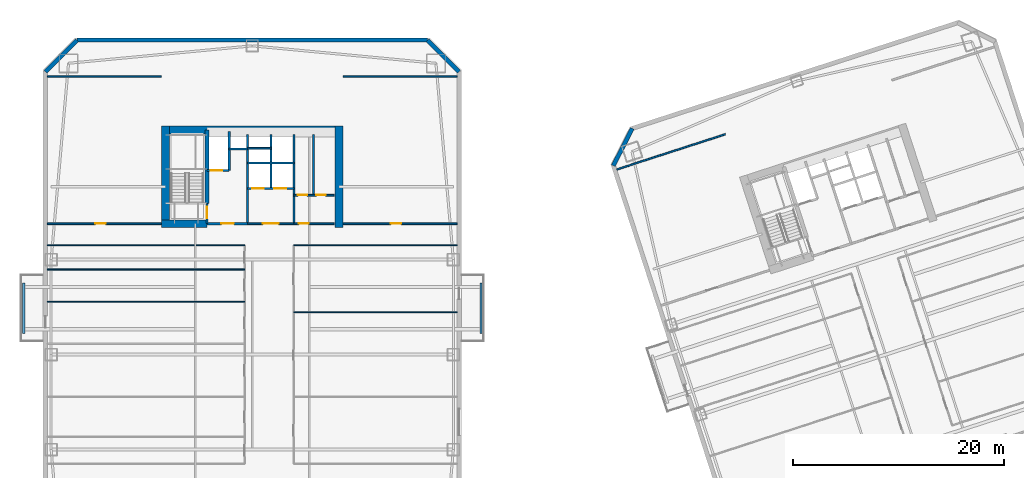
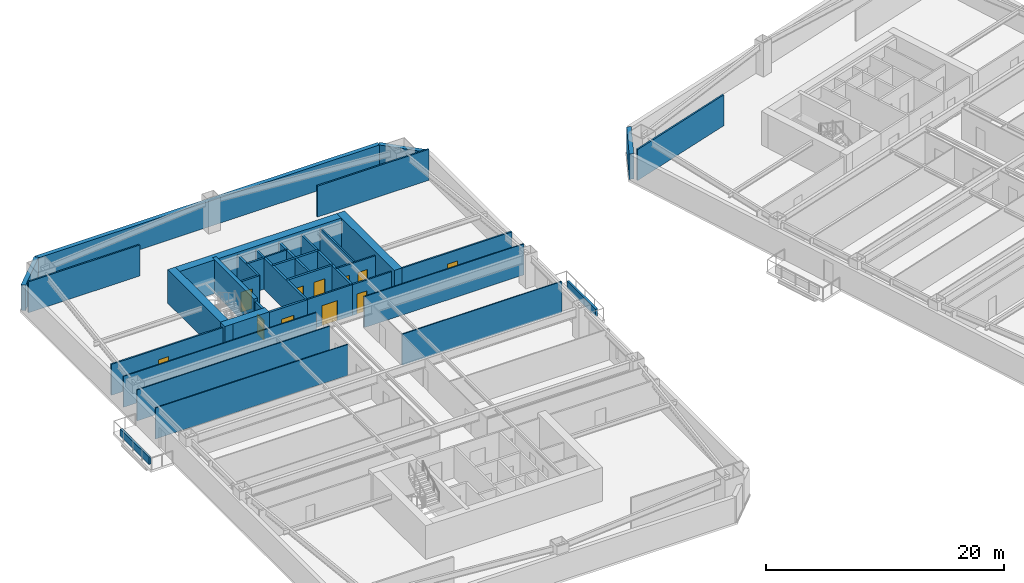
# One storey, part 6 of 15: 36 walls, 11 doors, 11 openings.
"""IFC4 building model written with IfcOpenShell, lengths in metres."""

import ifcopenshell
import ifcopenshell.guid

model = None  # the IFC model being written
_history = None  # IfcOwnerHistory: only IFC2X3 demands one
_inside = {}  # id of a spatial element -> (the spatial element, [elements in it])
_under = {}  # id of a project, library or spatial element -> (it, [spatial elements below it])
_declared = {}  # id of a project -> (the project, [libraries it declares])
_typed = {}  # id of a type object -> (the type object, [elements of that type])
_made_of = {}  # id of a material, layer set ... -> (it, [elements and type objects made of it])


def new_model(schema):
    """Start an empty IFC model of exactly this schema.

    Asked for "IFC4X3", IfcOpenShell would pick the latest addendum, in which some entities
    have other attributes; the version numbers below select the first issue.
    IFC2X3 requires an IfcOwnerHistory on every rooted entity: one is made here for all.
    """
    global model, _history
    if schema == "IFC4X3":
        model = ifcopenshell.file(schema_version=(4, 3, 0, 0))
    else:
        model = ifcopenshell.file(schema=schema)
    _inside.clear()
    _under.clear()
    _declared.clear()
    _typed.clear()
    _made_of.clear()
    _history = None
    if model.schema == "IFC2X3":
        org = make("IfcOrganization", Name="unknown")
        user = make(
            "IfcPersonAndOrganization",
            ThePerson=make("IfcPerson", FamilyName="unknown"),
            TheOrganization=org,
        )
        app = make(
            "IfcApplication",
            ApplicationDeveloper=org,
            Version="unknown",
            ApplicationFullName="unknown",
            ApplicationIdentifier="unknown",
        )
        _history = make(
            "IfcOwnerHistory",
            OwningUser=user,
            OwningApplication=app,
            ChangeAction="ADDED",
            CreationDate=0,
        )
    return model


def make(cls, **values):
    """One entity of the class cls with the attributes given. An attribute that is None is left unset."""
    return model.create_entity(
        cls, **{name: value for name, value in values.items() if value is not None}
    )


def rooted(cls, **values):
    """An entity with a GlobalId (a new one), such as an element, a storey or a relation."""
    return make(cls, GlobalId=ifcopenshell.guid.new(), OwnerHistory=_history, **values)


def si_unit(unit_type, name, prefix=None):
    """IfcSIUnit, for example si_unit("LENGTHUNIT", "METRE", prefix="MILLI")."""
    return make("IfcSIUnit", UnitType=unit_type, Prefix=prefix, Name=name)


def assignment(units):
    """IfcUnitAssignment: the units of a project."""
    return None if units is None else make("IfcUnitAssignment", Units=units)


def point(xyz):
    """IfcCartesianPoint."""
    return None if xyz is None else make("IfcCartesianPoint", Coordinates=xyz)


def direction(xyz):
    """IfcDirection."""
    return None if xyz is None else make("IfcDirection", DirectionRatios=xyz)


def frame(location, z_axis=None, x_axis=None):
    """IfcAxis2Placement3D, a coordinate frame: its origin and axes. An axis left out is left unset."""
    return make(
        "IfcAxis2Placement3D",
        Location=point(location),
        Axis=direction(z_axis),
        RefDirection=direction(x_axis),
    )


def frame_2d(location, x_axis=None):
    """IfcAxis2Placement2D, a coordinate frame in the plane: its origin and x axis."""
    return make(
        "IfcAxis2Placement2D", Location=point(location), RefDirection=direction(x_axis)
    )


def origin():
    """The frame at (0, 0, 0) with its axes left unset."""
    return frame((0.0, 0.0, 0.0))


def place(relative_to, where):
    """IfcLocalPlacement: puts the frame where relative to a parent placement (None: the world)."""
    return make(
        "IfcLocalPlacement", PlacementRelTo=relative_to, RelativePlacement=where
    )


def context(
    kind, dimensions, precision=None, world=None, true_north=None, identifier=None
):
    """IfcGeometricRepresentationContext, for example the 3D "Model" context."""
    return make(
        "IfcGeometricRepresentationContext",
        ContextIdentifier=identifier,
        ContextType=kind,
        CoordinateSpaceDimension=dimensions,
        Precision=precision,
        WorldCoordinateSystem=world,
        TrueNorth=true_north,
    )


def subcontext(parent, identifier, kind, view, scale=None):
    """IfcGeometricRepresentationSubContext, for example "Body" below "Model"."""
    return make(
        "IfcGeometricRepresentationSubContext",
        ContextIdentifier=identifier,
        ContextType=kind,
        ParentContext=parent,
        TargetScale=scale,
        TargetView=view,
    )


def project(units=None, contexts=None):
    """IfcProject with its units and contexts."""
    return rooted(
        "IfcProject",
        Name="project",
        RepresentationContexts=contexts,
        UnitsInContext=assignment(units),
    )


def spatial(cls, under=None, at=None, **own):
    """A site, building, storey or space (cls), placed at a placement, below another one or the project."""
    s = rooted(cls, ObjectPlacement=at, **own)
    if under is not None:
        _under.setdefault(under.id(), (under, []))[1].append(s)
    return s


def profile(cls, at=None, kind="AREA", **sizes):
    """A parametric profile (cls). Its sizes go by their IFC names, for example OverallWidth=200.0."""
    return make(cls, ProfileType=kind, Position=at, **sizes)


def rectangle(**sizes):
    """IfcRectangleProfileDef."""
    return profile("IfcRectangleProfileDef", **sizes)


def extrude(swept, where, along, depth):
    """IfcExtrudedAreaSolid: the profile swept, set in the frame where, extruded along a direction by depth."""
    return make(
        "IfcExtrudedAreaSolid",
        SweptArea=swept,
        Position=where,
        ExtrudedDirection=direction(along),
        Depth=depth,
    )


def shape(context_of_items, identifier, shape_type, items):
    """IfcShapeRepresentation: the items that make up one representation, for example the "Body"."""
    return make(
        "IfcShapeRepresentation",
        ContextOfItems=context_of_items,
        RepresentationIdentifier=identifier,
        RepresentationType=shape_type,
        Items=items,
    )


def material(Name=None, Category=None):
    """IfcMaterial."""
    return make("IfcMaterial", Name=Name, Category=Category)


def layer(
    of_material, thickness, ventilated=None, Name=None, Category=None, Priority=None
):
    """IfcMaterialLayer: one layer of a wall or slab, of a material (None: an air gap)."""
    return make(
        "IfcMaterialLayer",
        Material=of_material,
        LayerThickness=thickness,
        IsVentilated=ventilated,
        Name=Name,
        Category=Category,
        Priority=Priority,
    )


def layer_set(layers, Name=None):
    """IfcMaterialLayerSet."""
    return make("IfcMaterialLayerSet", MaterialLayers=layers, LayerSetName=Name)


def made_of(thing, what):
    """Note that an element or type object is made of a material, layer set ...; save() writes the relation."""
    if what is not None:
        _made_of.setdefault(what.id(), (what, []))[1].append(thing)
    return thing


def type_object(cls, material=None, **own):
    """A type object (cls), such as IfcWallType, which elements share."""
    return made_of(rooted(cls, **own), material)


def element(
    cls,
    number,
    at=None,
    inside=None,
    cuts=None,
    type_object=None,
    material=None,
    context=None,
    identifier="Body",
    shape_type=None,
    held_by="IfcProductDefinitionShape",
    body=None,
    shapes=None,
    **own,
):
    """One element of the class cls, such as IfcWall. Its Tag is "e" and its number.

    at: its placement. inside: the storey or other place that contains it. cuts: it is an
    opening in that element (IfcRelVoidsElement). A single representation is given by context,
    identifier, shape_type and body (its items); several are given by shapes. held_by: the class
    of the entity that holds the representations. save() writes the other relations.
    """
    e = rooted(cls, Tag="e%d" % number, ObjectPlacement=at, **own)
    if body is not None:
        shapes = [shape(context, identifier, shape_type, body)]
    if shapes is not None:
        e.Representation = make(held_by, Representations=shapes)
    if inside is not None:
        _inside.setdefault(inside.id(), (inside, []))[1].append(e)
    if cuts is not None:
        rooted(
            "IfcRelVoidsElement", RelatingBuildingElement=cuts, RelatedOpeningElement=e
        )
    if type_object is not None:
        _typed.setdefault(type_object.id(), (type_object, []))[1].append(e)
    return made_of(e, material)


def fill(opening, filler):
    """IfcRelFillsElement: the door or window that sits in an opening."""
    return rooted(
        "IfcRelFillsElement",
        RelatingOpeningElement=opening,
        RelatedBuildingElement=filler,
    )


def aggregate(whole, parts):
    """IfcRelAggregates: a whole, such as a stair, and the parts it consists of."""
    return rooted("IfcRelAggregates", RelatingObject=whole, RelatedObjects=parts)


def save(model, path):
    """Write the relations noted so far, then the file.

    IfcRelAggregates (storeys below a building ...), IfcRelContainedInSpatialStructure (elements
    in a storey), IfcRelDefinesByType, IfcRelAssociatesMaterial and IfcRelDeclares: one each for
    every whole, place, type object, material and project.
    """
    for whole, parts in _under.values():
        aggregate(whole, parts)
    for where, things in _inside.values():
        rooted(
            "IfcRelContainedInSpatialStructure",
            RelatedElements=things,
            RelatingStructure=where,
        )
    for kind, things in _typed.values():
        rooted("IfcRelDefinesByType", RelatedObjects=things, RelatingType=kind)
    for what, things in _made_of.values():
        rooted("IfcRelAssociatesMaterial", RelatedObjects=things, RelatingMaterial=what)
    for by, libraries in _declared.values():
        rooted("IfcRelDeclares", RelatingContext=by, RelatedDefinitions=libraries)
    model.write(path)


model = new_model("IFC4")

# Units and contexts
model_context = context("Model", 3, precision=1e-05, world=origin(), true_north=direction((0.0, 1.0)))
body_context = subcontext(model_context, "Body", "Model", "MODEL_VIEW")
ifc_project = project(units=[si_unit("LENGTHUNIT", "METRE"), si_unit("AREAUNIT", "SQUARE_METRE"), si_unit("VOLUMEUNIT", "CUBIC_METRE"), si_unit("PLANEANGLEUNIT", "RADIAN"), si_unit("MASSUNIT", "GRAM", prefix="KILO")], contexts=[model_context])

# Site, building, storey
site_placement = place(None, origin())
site = spatial("IfcSite", under=ifc_project, at=site_placement, CompositionType="ELEMENT")
building_placement = place(site_placement, origin())
building = spatial("IfcBuilding", under=site, at=building_placement, Name="Qiaolan Cultural Towers", CompositionType="ELEMENT")
storey_placement = place(building_placement, frame((0.0, 0.0, 50.60009765625)))
storey = spatial("IfcBuildingStorey", under=building, at=storey_placement, Name="L11", CompositionType="ELEMENT", Elevation=50.60009765625)

# Walls
ifc_material_1 = material(Name="Concrete C50", Category="concrete")
ifc_layer_1 = layer(ifc_material_1, 0.35009765625)
ifc_layer_set_1 = layer_set([ifc_layer_1], Name="Concrete C50")
wall_type_1 = type_object("IfcWallType", Name="WL-CORE-350", PredefinedType="SHEAR", material=ifc_layer_set_1)
wall_1_placement = place(storey_placement, frame((25.719970703125, 48.300048828125, 0.0), z_axis=(0.0, 0.0, 1.0), x_axis=(0.0, 1.0, 0.0)))
element("IfcWall", 1, at=wall_1_placement, inside=storey, type_object=wall_type_1, Name="L11 T1-CN Stair Core Dividing Web", PredefinedType="SHEAR", context=body_context, shape_type="SweptSolid", body=[
    extrude(rectangle(XDim=6.97998046875, YDim=0.35009765625, at=frame_2d((3.489990234375, 0.0))), origin(), (0.0, 0.0, 1.0), 3.449951171875),
])
ifc_material_2 = material(Name="Concrete C60", Category="concrete")
ifc_layer_2 = layer(ifc_material_2, 0.75)
ifc_layer_set_2 = layer_set([ifc_layer_2], Name="Concrete C60")
wall_type_2 = type_object("IfcWallType", Name="WL-CORE-750", PredefinedType="SHEAR", material=ifc_layer_set_2)
wall_2_placement = place(storey_placement, frame((21.425048828125, 55.280029296875, 0.0), z_axis=(0.0, 0.0, 1.0), x_axis=(1.0, 0.0, 0.0)))
element("IfcWall", 2, at=wall_2_placement, inside=storey, type_object=wall_type_2, Name="L11 T1-CN Outer Core Shear Wall", PredefinedType="SHEAR", context=body_context, shape_type="SweptSolid", body=[
    extrude(rectangle(XDim=17.14990234375, YDim=0.75, at=frame_2d((8.574951171875, 0.0))), origin(), (0.0, 0.0, 1.0), 3.449951171875),
])
for number, where, z_axis, x_axis, name in (
    (3, (21.800048828125, 46.02490234375, 0.0), (0.0, 0.0, 1.0), (0.0, 1.0, 0.0), "L11 T1-CN West Core Shear Wall"),
    (4, (38.199951171875, 46.02490234375, 0.0), (0.0, 0.0, 1.0), (0.0, 1.0, 0.0), "L11 T1-CN East Core Shear Wall"),
):
    element("IfcWall", number, at=place(storey_placement, frame(where, z_axis=z_axis, x_axis=x_axis)), inside=storey, type_object=wall_type_2, Name=name, PredefinedType="SHEAR", context=body_context, shape_type="SweptSolid", body=[
        extrude(rectangle(XDim=9.630126953125, YDim=0.75, at=frame_2d((4.81494140625, 0.0))), origin(), (0.0, 0.0, 1.0), 3.449951171875),
    ])
wall_3_placement = place(storey_placement, frame((21.425048828125, 46.39990234375, 0.0), z_axis=(0.0, 0.0, 1.0), x_axis=(1.0, 0.0, 0.0)))
element("IfcWall", 5, at=wall_3_placement, inside=storey, type_object=wall_type_2, Name="L11 T1-CN Stair Front Shear Wall", PredefinedType="SHEAR", context=body_context, shape_type="SweptSolid", body=[
    extrude(rectangle(XDim=4.294921875, YDim=0.75, at=frame_2d((2.1474609375, 0.0))), origin(), (0.0, 0.0, 1.0), 3.449951171875),
])
ifc_material_3 = material(Name="Precast Concrete C50 Honed Stone Pier", Category="masonry")
ifc_layer_3 = layer(ifc_material_3, 0.39990234375)
ifc_layer_set_3 = layer_set([ifc_layer_3], Name="Precast Concrete C50 Honed Stone Pier")
wall_type_3 = type_object("IfcWallType", Name="WL-EXT-PIER-400", PredefinedType="SOLIDWALL", material=ifc_layer_set_3)
wall_4_placement = place(storey_placement, frame((10.39990234375, 60.800048828125, 0.0), z_axis=(0.0, 0.0, 1.0), x_axis=(0.707106781187, 0.707106781187, 0.0)))
element("IfcWall", 6, at=wall_4_placement, inside=storey, type_object=wall_type_3, Name="L11 West Tower Precast Pier Facade Wall F2", PredefinedType="SOLIDWALL", context=body_context, shape_type="SweptSolid", body=[
    extrude(rectangle(XDim=4.24267578125, YDim=0.39990234375, at=frame_2d((2.121337890625, 0.0))), origin(), (0.0, 0.0, 1.0), 2.60986328125),
])
wall_5_placement = place(storey_placement, frame((13.39990234375, 63.800048828125, 0.0), z_axis=(0.0, 0.0, 1.0), x_axis=(1.0, 0.0, 0.0)))
element("IfcWall", 7, at=wall_5_placement, inside=storey, type_object=wall_type_3, Name="L11 West Tower Precast Pier Facade Wall F3", PredefinedType="SOLIDWALL", context=body_context, shape_type="SweptSolid", body=[
    extrude(rectangle(XDim=33.2001953125, YDim=0.39990234375, at=frame_2d((16.60009765625, 0.0))), origin(), (0.0, 0.0, 1.0), 2.60986328125),
])
wall_6_placement = place(storey_placement, frame((46.60009765625, 63.800048828125, 0.0), z_axis=(0.0, 0.0, 1.0), x_axis=(0.707106781187, -0.707106781187, 0.0)))
element("IfcWall", 8, at=wall_6_placement, inside=storey, type_object=wall_type_3, Name="L11 West Tower Precast Pier Facade Wall F4", PredefinedType="SOLIDWALL", context=body_context, shape_type="SweptSolid", body=[
    extrude(rectangle(XDim=4.24267578125, YDim=0.39990234375, at=frame_2d((2.121337890625, 0.0))), origin(), (0.0, 0.0, 1.0), 2.60986328125),
])
wall_7_placement = place(storey_placement, frame((64.20458984375, 51.905029296875, 0.0), z_axis=(0.0, 0.0, 1.0), x_axis=(0.453958106755, 0.891023028497, 0.0)))
element("IfcWall", 9, at=wall_7_placement, inside=storey, type_object=wall_type_3, Name="L11 East Tower Precast Pier Facade Wall F2", PredefinedType="SOLIDWALL", context=body_context, shape_type="SweptSolid", body=[
    extrude(rectangle(XDim=3.9599609375, YDim=0.39990234375, at=frame_2d((1.97998046875, 0.0))), origin(), (0.0, 0.0, 1.0), 2.60986328125),
])

# Wall, opening, door
ifc_material_4 = material(Name="Concrete C35 Fire Wall", Category="concrete")
ifc_layer_4 = layer(ifc_material_4, 0.199951171875)
ifc_layer_set_4 = layer_set([ifc_layer_4], Name="Concrete C35 Fire Wall")
wall_type_4 = type_object("IfcWallType", Name="WL-FIRE-200", PredefinedType="PARTITIONING", material=ifc_layer_set_4)
wall_8_placement = place(storey_placement, frame((25.719970703125, 46.39990234375, 0.0), z_axis=(0.0, 0.0, 1.0), x_axis=(0.0, 1.0, 0.0)))
wall_8 = element("IfcWall", 10, at=wall_8_placement, inside=storey, type_object=wall_type_4, Name="L11 T1-CN Smokeproof Stair Entry Wall", PredefinedType="PARTITIONING", context=body_context, shape_type="SweptSolid", body=[
    extrude(rectangle(XDim=1.900146484375, YDim=0.199951171875, at=frame_2d((0.9501953125, 0.0))), origin(), (0.0, 0.0, 1.0), 3.1748046875),
])
opening_1_placement = place(wall_8_placement, frame((0.52001953125, 0.0, 0.0)))
opening_1 = element("IfcOpeningElement", 11, at=opening_1_placement, cuts=wall_8, Name="Opening FD-04", PredefinedType="OPENING", context=body_context, shape_type="SweptSolid", body=[
    extrude(rectangle(XDim=1.10009765625, YDim=2.050048828125, at=frame_2d((0.550048828125, 1.02490234375))), frame((0.0, 0.10986328125, 0.0), z_axis=(0.0, -1.0, 0.0), x_axis=(1.0, 0.0, 0.0)), (0.0, 0.0, 1.0), 0.219970703125),
])
ifc_material_5 = material(Name="Galvanized Steel Command Fire Door", Category="steel")
door_type_1 = type_object("IfcDoorType", Name="DR-FD90-1100", OperationType="NOTDEFINED", PredefinedType="DOOR", material=ifc_material_5)
door_1_placement = place(opening_1_placement, origin())
door_1 = element("IfcDoor", 12, at=door_1_placement, inside=storey, type_object=door_type_1, Name="L11 ST-W2 Smokeproof Stair Fire Door", OperationType="SINGLE_SWING_LEFT", OverallHeight=2.050048828125, OverallWidth=1.10009765625, PredefinedType="DOOR", context=body_context, shape_type="SweptSolid", body=[
    extrude(rectangle(XDim=1.10009765625, YDim=2.050048828125, at=frame_2d((0.550048828125, 1.02490234375))), frame((0.0, 0.02490234375, 0.0), z_axis=(0.0, -1.0, 0.0), x_axis=(1.0, 0.0, 0.0)), (0.0, 0.0, 1.0), 0.050048828125),
])
fill(opening_1, door_1)

# Wall
wall_9_placement = place(storey_placement, frame((29.550048828125, 46.39990234375, 0.0), z_axis=(0.0, 0.0, 1.0), x_axis=(0.0, 1.0, 0.0)))
element("IfcWall", 13, at=wall_9_placement, inside=storey, type_object=wall_type_4, Name="L11 T1-CN Firefighting Zone Wall", PredefinedType="PARTITIONING", context=body_context, shape_type="SweptSolid", body=[
    extrude(rectangle(XDim=8.43017578125, YDim=0.199951171875, at=frame_2d((4.215087890625, 0.0))), origin(), (0.0, 0.0, 1.0), 3.1748046875),
])

# Wall, opening, door
wall_10_placement = place(storey_placement, frame((25.719970703125, 46.39990234375, 0.0), z_axis=(0.0, 0.0, 1.0), x_axis=(1.0, 0.0, 0.0)))
wall_10 = element("IfcWall", 14, at=wall_10_placement, inside=storey, type_object=wall_type_4, Name="L11 T1-CN Firefighting Lobby Front Wall", PredefinedType="PARTITIONING", context=body_context, shape_type="SweptSolid", body=[
    extrude(rectangle(XDim=3.830078125, YDim=0.199951171875, at=frame_2d((1.9150390625, 0.0))), origin(), (0.0, 0.0, 1.0), 3.1748046875),
])
opening_2_placement = place(wall_10_placement, frame((1.35009765625, 0.0, 0.0)))
opening_2 = element("IfcOpeningElement", 15, at=opening_2_placement, cuts=wall_10, Name="Opening FD-03", PredefinedType="OPENING", context=body_context, shape_type="SweptSolid", body=[
    extrude(rectangle(XDim=1.199951171875, YDim=2.050048828125, at=frame_2d((0.60009765625, 1.02490234375))), frame((0.0, 0.10986328125, 0.0), z_axis=(0.0, -1.0, 0.0), x_axis=(1.0, 0.0, 0.0)), (0.0, 0.0, 1.0), 0.219970703125),
])
ifc_material_6 = material(Name="Galvanized Steel Smokeproof Lobby Fire Door", Category="steel")
door_type_2 = type_object("IfcDoorType", Name="DR-FD90-1200", OperationType="NOTDEFINED", PredefinedType="DOOR", material=ifc_material_6)
door_2_placement = place(opening_2_placement, origin())
door_2 = element("IfcDoor", 16, at=door_2_placement, inside=storey, type_object=door_type_2, Name="L11 FFL-W2 Firefighting Lobby Fire Door", OperationType="SINGLE_SWING_LEFT", OverallHeight=2.050048828125, OverallWidth=1.199951171875, PredefinedType="DOOR", context=body_context, shape_type="SweptSolid", body=[
    extrude(rectangle(XDim=1.199951171875, YDim=2.050048828125, at=frame_2d((0.60009765625, 1.02490234375))), frame((0.0, 0.02490234375, 0.0), z_axis=(0.0, -1.0, 0.0), x_axis=(1.0, 0.0, 0.0)), (0.0, 0.0, 1.0), 0.050048828125),
])
fill(opening_2, door_2)

wall_11_placement = place(storey_placement, frame((25.719970703125, 51.449951171875, 0.0), z_axis=(0.0, 0.0, 1.0), x_axis=(1.0, 0.0, 0.0)))
wall_11 = element("IfcWall", 17, at=wall_11_placement, inside=storey, type_object=wall_type_4, Name="L11 T1-CN Firefighting Shaft Front Wall", PredefinedType="PARTITIONING", context=body_context, shape_type="SweptSolid", body=[
    extrude(rectangle(XDim=2.10009765625, YDim=0.199951171875, at=frame_2d((1.050048828125, 0.0))), origin(), (0.0, 0.0, 1.0), 3.1748046875),
])
opening_3_placement = place(wall_11_placement, frame((0.35009765625, 0.0, 0.0)))
opening_3 = element("IfcOpeningElement", 18, at=opening_3_placement, cuts=wall_11, Name="Opening LD-01", PredefinedType="OPENING", context=body_context, shape_type="SweptSolid", body=[
    extrude(rectangle(XDim=1.10009765625, YDim=2.050048828125, at=frame_2d((0.550048828125, 1.02490234375))), frame((0.0, 0.10986328125, 0.0), z_axis=(0.0, -1.0, 0.0), x_axis=(1.0, 0.0, 0.0)), (0.0, 0.0, 1.0), 0.219970703125),
])
ifc_material_7 = material(Name="Brushed Stainless Steel S30408 Centre-Parting Lift Landing Door", Category="steel")
door_type_3 = type_object("IfcDoorType", Name="DR-LIFT-1100", OperationType="NOTDEFINED", PredefinedType="DOOR", material=ifc_material_7)
door_3_placement = place(opening_3_placement, origin())
door_3 = element("IfcDoor", 19, at=door_3_placement, inside=storey, type_object=door_type_3, Name="L11 FFL-W2 Firefighting Lift Landing Door", OperationType="DOUBLE_DOOR_SLIDING", OverallHeight=2.050048828125, OverallWidth=1.10009765625, PredefinedType="DOOR", context=body_context, shape_type="SweptSolid", body=[
    extrude(rectangle(XDim=1.10009765625, YDim=2.050048828125, at=frame_2d((0.550048828125, 1.02490234375))), frame((0.0, 0.02490234375, 0.0), z_axis=(0.0, -1.0, 0.0), x_axis=(1.0, 0.0, 0.0)), (0.0, 0.0, 1.0), 0.050048828125),
])
fill(opening_3, door_3)

# Walls
wall_12_placement = place(storey_placement, frame((27.820068359375, 51.449951171875, 0.0), z_axis=(0.0, 0.0, 1.0), x_axis=(0.0, 1.0, 0.0)))
element("IfcWall", 20, at=wall_12_placement, inside=storey, type_object=wall_type_4, Name="L11 T1-CN Firefighting Hoistway East Wall", PredefinedType="PARTITIONING", context=body_context, shape_type="SweptSolid", body=[
    extrude(rectangle(XDim=3.699951171875, YDim=0.199951171875, at=frame_2d((1.85009765625, 0.0))), origin(), (0.0, 0.0, 1.0), 3.1748046875),
])
wall_13_placement = place(storey_placement, frame((27.820068359375, 53.47998046875, 0.0), z_axis=(0.0, 0.0, 1.0), x_axis=(1.0, 0.0, 0.0)))
element("IfcWall", 21, at=wall_13_placement, inside=storey, type_object=wall_type_4, Name="L11 T1-CN Pressurization Shaft Front Wall", PredefinedType="PARTITIONING", context=body_context, shape_type="SweptSolid", body=[
    extrude(rectangle(XDim=1.72998046875, YDim=0.199951171875, at=frame_2d((0.864990234375, 0.0))), origin(), (0.0, 0.0, 1.0), 3.1748046875),
])
wall_14_placement = place(storey_placement, frame((33.949951171875, 46.39990234375, 0.0), z_axis=(0.0, 0.0, 1.0), x_axis=(0.0, 1.0, 0.0)))
element("IfcWall", 22, at=wall_14_placement, inside=storey, type_object=wall_type_4, Name="L11 T1-CN Lift Core East Wall", PredefinedType="PARTITIONING", context=body_context, shape_type="SweptSolid", body=[
    extrude(rectangle(XDim=8.43017578125, YDim=0.199951171875, at=frame_2d((4.215087890625, 0.0))), origin(), (0.0, 0.0, 1.0), 3.1748046875),
])

# Wall, openings, doors
wall_15_placement = place(storey_placement, frame((29.550048828125, 49.719970703125, 0.0), z_axis=(0.0, 0.0, 1.0), x_axis=(1.0, 0.0, 0.0)))
wall_15 = element("IfcWall", 23, at=wall_15_placement, inside=storey, type_object=wall_type_4, Name="L11 T1-CN Passenger Lift Shaft Front Wall", PredefinedType="PARTITIONING", context=body_context, shape_type="SweptSolid", body=[
    extrude(rectangle(XDim=4.39990234375, YDim=0.199951171875, at=frame_2d((2.199951171875, 0.0))), origin(), (0.0, 0.0, 1.0), 3.1748046875),
])
opening_4_placement = place(wall_15_placement, frame((0.449951171875, 0.0, 0.0)))
opening_4 = element("IfcOpeningElement", 24, at=opening_4_placement, cuts=wall_15, Name="Opening LD-01", PredefinedType="OPENING", context=body_context, shape_type="SweptSolid", body=[
    extrude(rectangle(XDim=1.10009765625, YDim=2.050048828125, at=frame_2d((0.550048828125, 1.02490234375))), frame((0.0, 0.10986328125, 0.0), z_axis=(0.0, -1.0, 0.0), x_axis=(1.0, 0.0, 0.0)), (0.0, 0.0, 1.0), 0.219970703125),
])
opening_5_placement = place(wall_15_placement, frame((2.550048828125, 0.0, 0.0)))
opening_5 = element("IfcOpeningElement", 25, at=opening_5_placement, cuts=wall_15, Name="Opening LD-01", PredefinedType="OPENING", context=body_context, shape_type="SweptSolid", body=[
    extrude(rectangle(XDim=1.10009765625, YDim=2.050048828125, at=frame_2d((0.550048828125, 1.02490234375))), frame((0.0, 0.10986328125, 0.0), z_axis=(0.0, -1.0, 0.0), x_axis=(1.0, 0.0, 0.0)), (0.0, 0.0, 1.0), 0.219970703125),
])
door_4_placement = place(opening_4_placement, origin())
door_4 = element("IfcDoor", 26, at=door_4_placement, inside=storey, type_object=door_type_3, Name="L11 Passenger Lift 1 Landing Door", OperationType="DOUBLE_DOOR_SLIDING", OverallHeight=2.050048828125, OverallWidth=1.10009765625, PredefinedType="DOOR", context=body_context, shape_type="SweptSolid", body=[
    extrude(rectangle(XDim=1.10009765625, YDim=2.050048828125, at=frame_2d((0.550048828125, 1.02490234375))), frame((0.0, 0.02490234375, 0.0), z_axis=(0.0, -1.0, 0.0), x_axis=(1.0, 0.0, 0.0)), (0.0, 0.0, 1.0), 0.050048828125),
])
fill(opening_4, door_4)
door_5_placement = place(opening_5_placement, origin())
door_5 = element("IfcDoor", 27, at=door_5_placement, inside=storey, type_object=door_type_3, Name="L11 Passenger Lift 2 Landing Door", OperationType="DOUBLE_DOOR_SLIDING", OverallHeight=2.050048828125, OverallWidth=1.10009765625, PredefinedType="DOOR", context=body_context, shape_type="SweptSolid", body=[
    extrude(rectangle(XDim=1.10009765625, YDim=2.050048828125, at=frame_2d((0.550048828125, 1.02490234375))), frame((0.0, 0.02490234375, 0.0), z_axis=(0.0, -1.0, 0.0), x_axis=(1.0, 0.0, 0.0)), (0.0, 0.0, 1.0), 0.050048828125),
])
fill(opening_5, door_5)

# Walls
wall_16_placement = place(storey_placement, frame((31.780029296875, 49.719970703125, 0.0), z_axis=(0.0, 0.0, 1.0), x_axis=(0.0, 1.0, 0.0)))
element("IfcWall", 28, at=wall_16_placement, inside=storey, type_object=wall_type_4, Name="L11 T1-CN Lift Shaft Divider Wall", PredefinedType="PARTITIONING", context=body_context, shape_type="SweptSolid", body=[
    extrude(rectangle(XDim=5.110107421875, YDim=0.199951171875, at=frame_2d((2.55517578125, 0.0))), origin(), (0.0, 0.0, 1.0), 3.1748046875),
])
wall_17_placement = place(storey_placement, frame((29.550048828125, 52.14990234375, 0.0), z_axis=(0.0, 0.0, 1.0), x_axis=(1.0, 0.0, 0.0)))
element("IfcWall", 29, at=wall_17_placement, inside=storey, type_object=wall_type_4, Name="L11 T1-CN Passenger Lift Shaft Back Wall", PredefinedType="PARTITIONING", context=body_context, shape_type="SweptSolid", body=[
    extrude(rectangle(XDim=4.39990234375, YDim=0.199951171875, at=frame_2d((2.199951171875, 0.0))), origin(), (0.0, 0.0, 1.0), 3.1748046875),
])
ifc_material_8 = material(Name="Acoustic Double-Glazed Partition Frame", Category="glass")
ifc_layer_5 = layer(ifc_material_8, 0.10009765625)
ifc_layer_set_5 = layer_set([ifc_layer_5], Name="Acoustic Double-Glazed Partition Frame")
wall_type_5 = type_object("IfcWallType", Name="WL-GLAZED-100", PredefinedType="MOVABLE", material=ifc_layer_set_5)
wall_18_placement = place(storey_placement, frame((10.60009765625, 44.35009765625, 0.0), z_axis=(0.0, 0.0, 1.0), x_axis=(1.0, 0.0, 0.0)))
element("IfcWall", 30, at=wall_18_placement, inside=storey, type_object=wall_type_5, Name="L11 T1 North Corridor Left Wall", PredefinedType="MOVABLE", context=body_context, shape_type="SweptSolid", body=[
    extrude(rectangle(XDim=18.6748046875, YDim=0.10009765625, at=frame_2d((9.33740234375, 0.0))), origin(), (0.0, 0.0, 1.0), 3.1748046875),
])
wall_19_placement = place(storey_placement, frame((33.925048828125, 44.35009765625, 0.0), z_axis=(0.0, 0.0, 1.0), x_axis=(1.0, 0.0, 0.0)))
element("IfcWall", 31, at=wall_19_placement, inside=storey, type_object=wall_type_5, Name="L11 T1 North Corridor Right Wall", PredefinedType="MOVABLE", context=body_context, shape_type="SweptSolid", body=[
    extrude(rectangle(XDim=15.474853515625, YDim=0.10009765625, at=frame_2d((7.7373046875, 0.0))), origin(), (0.0, 0.0, 1.0), 3.1748046875),
])
for number, where, z_axis, x_axis, name in (
    (32, (10.60009765625, 39.0, 0.0), (0.0, 0.0, 1.0), (1.0, 0.0, 0.0), "L11 T1 West Partition 4"),
    (33, (10.60009765625, 42.06591796875, 0.0), (0.0, 0.0, 1.0), (1.0, 0.0, 0.0), "L11 T1 West Partition 5"),
):
    element("IfcWall", number, at=place(storey_placement, frame(where, z_axis=z_axis, x_axis=x_axis)), inside=storey, type_object=wall_type_5, Name=name, PredefinedType="MOVABLE", context=body_context, shape_type="SweptSolid", body=[
        extrude(rectangle(XDim=18.6748046875, YDim=0.10009765625, at=frame_2d((9.33740234375, 0.0))), origin(), (0.0, 0.0, 1.0), 3.1748046875),
    ])
wall_20_placement = place(storey_placement, frame((33.925048828125, 38.0, 0.0), z_axis=(0.0, 0.0, 1.0), x_axis=(1.0, 0.0, 0.0)))
element("IfcWall", 34, at=wall_20_placement, inside=storey, type_object=wall_type_5, Name="L11 T1 East Partition 2", PredefinedType="MOVABLE", context=body_context, shape_type="SweptSolid", body=[
    extrude(rectangle(XDim=15.474853515625, YDim=0.10009765625, at=frame_2d((7.7373046875, 0.0))), origin(), (0.0, 0.0, 1.0), 3.1748046875),
])

# Wall, opening, door
ifc_material_9 = material(Name="Autoclaved Aerated Concrete Block B06", Category="concrete")
ifc_layer_6 = layer(ifc_material_9, 0.14990234375)
ifc_layer_set_6 = layer_set([ifc_layer_6], Name="Autoclaved Aerated Concrete Block B06")
wall_type_6 = type_object("IfcWallType", Name="WL-PART-150", PredefinedType="PARTITIONING", material=ifc_layer_set_6)
wall_21_placement = place(storey_placement, frame((29.550048828125, 46.39990234375, 0.0), z_axis=(0.0, 0.0, 1.0), x_axis=(1.0, 0.0, 0.0)))
wall_21 = element("IfcWall", 35, at=wall_21_placement, inside=storey, type_object=wall_type_6, Name="L11 T1-CN Passenger Lift Lobby Front Wall", PredefinedType="PARTITIONING", context=body_context, shape_type="SweptSolid", body=[
    extrude(rectangle(XDim=4.39990234375, YDim=0.14990234375, at=frame_2d((2.199951171875, 0.0))), origin(), (0.0, 0.0, 1.0), 3.1748046875),
])
opening_6_placement = place(wall_21_placement, frame((1.449951171875, 0.0, 0.0)))
opening_6 = element("IfcOpeningElement", 36, at=opening_6_placement, cuts=wall_21, Name="Opening FD-05", PredefinedType="OPENING", context=body_context, shape_type="SweptSolid", body=[
    extrude(rectangle(XDim=1.5, YDim=2.050048828125, at=frame_2d((0.75, 1.02490234375))), frame((0.0, 0.0849609375, 0.0), z_axis=(0.0, -1.0, 0.0), x_axis=(1.0, 0.0, 0.0)), (0.0, 0.0, 1.0), 0.169921875),
])
ifc_material_10 = material(Name="Painted Steel Lift Lobby Fire Door", Category="steel")
door_type_4 = type_object("IfcDoorType", Name="DR-FD60-1500", OperationType="NOTDEFINED", PredefinedType="DOOR", material=ifc_material_10)
door_6_placement = place(opening_6_placement, origin())
door_6 = element("IfcDoor", 37, at=door_6_placement, inside=storey, type_object=door_type_4, Name="L11 Passenger Lift Lobby Entrance", OperationType="SINGLE_SWING_LEFT", OverallHeight=2.050048828125, OverallWidth=1.5, PredefinedType="DOOR", context=body_context, shape_type="SweptSolid", body=[
    extrude(rectangle(XDim=1.5, YDim=2.050048828125, at=frame_2d((0.75, 1.02490234375))), frame((0.0, 0.02490234375, 0.0), z_axis=(0.0, -1.0, 0.0), x_axis=(1.0, 0.0, 0.0)), (0.0, 0.0, 1.0), 0.050048828125),
])
fill(opening_6, door_6)

# Wall
wall_22_placement = place(storey_placement, frame((29.550048828125, 53.550048828125, 0.0), z_axis=(0.0, 0.0, 1.0), x_axis=(1.0, 0.0, 0.0)))
element("IfcWall", 38, at=wall_22_placement, inside=storey, type_object=wall_type_6, Name="L11 T1-CN Core Rear Riser Split", PredefinedType="PARTITIONING", context=body_context, shape_type="SweptSolid", body=[
    extrude(rectangle(XDim=2.22998046875, YDim=0.14990234375, at=frame_2d((1.114990234375, 0.0))), origin(), (0.0, 0.0, 1.0), 3.1748046875),
])

# Wall, opening, door
wall_23_placement = place(storey_placement, frame((33.949951171875, 46.39990234375, 0.0), z_axis=(0.0, 0.0, 1.0), x_axis=(1.0, 0.0, 0.0)))
wall_23 = element("IfcWall", 39, at=wall_23_placement, inside=storey, type_object=wall_type_6, Name="L11 T1-CN Sanitary Core Front Wall", PredefinedType="PARTITIONING", context=body_context, shape_type="SweptSolid", body=[
    extrude(rectangle(XDim=3.800048828125, YDim=0.14990234375, at=frame_2d((1.89990234375, 0.0))), origin(), (0.0, 0.0, 1.0), 3.1748046875),
])
opening_7_placement = place(wall_23_placement, frame((0.449951171875, 0.0, 0.0)))
opening_7 = element("IfcOpeningElement", 40, at=opening_7_placement, cuts=wall_23, Name="Opening ID-05", PredefinedType="OPENING", context=body_context, shape_type="SweptSolid", body=[
    extrude(rectangle(XDim=0.949951171875, YDim=2.050048828125, at=frame_2d((0.47509765625, 1.02490234375))), frame((0.0, 0.0849609375, 0.0), z_axis=(0.0, -1.0, 0.0), x_axis=(1.0, 0.0, 0.0)), (0.0, 0.0, 1.0), 0.169921875),
])
ifc_material_11 = material(Name="Fire-Rated Laminate Accessible Core Door", Category="timber")
door_type_5 = type_object("IfcDoorType", Name="DR-INT-950", OperationType="NOTDEFINED", PredefinedType="DOOR", material=ifc_material_11)
door_7_placement = place(opening_7_placement, origin())
door_7 = element("IfcDoor", 41, at=door_7_placement, inside=storey, type_object=door_type_5, Name="L11 Sanitary Vestibule Door", OperationType="SINGLE_SWING_LEFT", OverallHeight=2.050048828125, OverallWidth=0.949951171875, PredefinedType="DOOR", context=body_context, shape_type="SweptSolid", body=[
    extrude(rectangle(XDim=0.949951171875, YDim=2.050048828125, at=frame_2d((0.47509765625, 1.02490234375))), frame((0.0, 0.02490234375, 0.0), z_axis=(0.0, -1.0, 0.0), x_axis=(1.0, 0.0, 0.0)), (0.0, 0.0, 1.0), 0.050048828125),
])
fill(opening_7, door_7)

# Wall, openings, doors
wall_24_placement = place(storey_placement, frame((33.949951171875, 49.10009765625, 0.0), z_axis=(0.0, 0.0, 1.0), x_axis=(1.0, 0.0, 0.0)))
wall_24 = element("IfcWall", 42, at=wall_24_placement, inside=storey, type_object=wall_type_6, Name="L11 T1-CN Restroom Vestibule Wall", PredefinedType="PARTITIONING", context=body_context, shape_type="SweptSolid", body=[
    extrude(rectangle(XDim=3.800048828125, YDim=0.14990234375, at=frame_2d((1.89990234375, 0.0))), origin(), (0.0, 0.0, 1.0), 3.1748046875),
])
opening_8_placement = place(wall_24_placement, frame((0.35009765625, 0.0, 0.0)))
opening_8 = element("IfcOpeningElement", 43, at=opening_8_placement, cuts=wall_24, Name="Opening ID-06", PredefinedType="OPENING", context=body_context, shape_type="SweptSolid", body=[
    extrude(rectangle(XDim=0.89990234375, YDim=2.050048828125, at=frame_2d((0.449951171875, 1.02490234375))), frame((0.0, 0.0849609375, 0.0), z_axis=(0.0, -1.0, 0.0), x_axis=(1.0, 0.0, 0.0)), (0.0, 0.0, 1.0), 0.169921875),
])
opening_9_placement = place(wall_24_placement, frame((2.10009765625, 0.0, 0.0)))
opening_9 = element("IfcOpeningElement", 44, at=opening_9_placement, cuts=wall_24, Name="Opening ID-06", PredefinedType="OPENING", context=body_context, shape_type="SweptSolid", body=[
    extrude(rectangle(XDim=0.89990234375, YDim=2.050048828125, at=frame_2d((0.449951171875, 1.02490234375))), frame((0.0, 0.0849609375, 0.0), z_axis=(0.0, -1.0, 0.0), x_axis=(1.0, 0.0, 0.0)), (0.0, 0.0, 1.0), 0.169921875),
])
ifc_material_12 = material(Name="Fire-Rated Laminate Core Service Door", Category="timber")
door_type_6 = type_object("IfcDoorType", Name="DR-INT-900", OperationType="NOTDEFINED", PredefinedType="DOOR", material=ifc_material_12)
door_8_placement = place(opening_8_placement, origin())
door_8 = element("IfcDoor", 45, at=door_8_placement, inside=storey, type_object=door_type_6, Name="L11 Men Restroom Door", OperationType="SINGLE_SWING_LEFT", OverallHeight=2.050048828125, OverallWidth=0.89990234375, PredefinedType="DOOR", context=body_context, shape_type="SweptSolid", body=[
    extrude(rectangle(XDim=0.89990234375, YDim=2.050048828125, at=frame_2d((0.449951171875, 1.02490234375))), frame((0.0, 0.02490234375, 0.0), z_axis=(0.0, -1.0, 0.0), x_axis=(1.0, 0.0, 0.0)), (0.0, 0.0, 1.0), 0.050048828125),
])
fill(opening_8, door_8)
door_9_placement = place(opening_9_placement, origin())
door_9 = element("IfcDoor", 46, at=door_9_placement, inside=storey, type_object=door_type_6, Name="L11 Accessible & Women Restroom Door", OperationType="SINGLE_SWING_RIGHT", OverallHeight=2.050048828125, OverallWidth=0.89990234375, PredefinedType="DOOR", context=body_context, shape_type="SweptSolid", body=[
    extrude(rectangle(XDim=0.89990234375, YDim=2.050048828125, at=frame_2d((0.449951171875, 1.02490234375))), frame((0.0, 0.02490234375, 0.0), z_axis=(0.0, -1.0, 0.0), x_axis=(1.0, 0.0, 0.0)), (0.0, 0.0, 1.0), 0.050048828125),
])
fill(opening_9, door_9)

# Walls
wall_25_placement = place(storey_placement, frame((35.800048828125, 49.10009765625, 0.0), z_axis=(0.0, 0.0, 1.0), x_axis=(0.0, 1.0, 0.0)))
element("IfcWall", 47, at=wall_25_placement, inside=storey, type_object=wall_type_6, Name="L11 T1-CN Restroom Divider Wall", PredefinedType="PARTITIONING", context=body_context, shape_type="SweptSolid", body=[
    extrude(rectangle(XDim=5.72998046875, YDim=0.14990234375, at=frame_2d((2.864990234375, 0.0))), origin(), (0.0, 0.0, 1.0), 3.1748046875),
])
wall_26_placement = place(storey_placement, frame((10.60009765625, 60.35009765625, 0.0), z_axis=(0.0, 0.0, 1.0), x_axis=(1.0, 0.0, 0.0)))
element("IfcWall", 48, at=wall_26_placement, inside=storey, type_object=wall_type_6, Name="L11 T1 Flank Wall FLK-NW", PredefinedType="PARTITIONING", context=body_context, shape_type="SweptSolid", body=[
    extrude(rectangle(XDim=10.7998046875, YDim=0.14990234375, at=frame_2d((5.39990234375, 0.0))), origin(), (0.0, 0.0, 1.0), 3.1748046875),
])

# Wall, opening, door
wall_27_placement = place(storey_placement, frame((10.60009765625, 46.39990234375, 0.0), z_axis=(0.0, 0.0, 1.0), x_axis=(1.0, 0.0, 0.0)))
wall_27 = element("IfcWall", 49, at=wall_27_placement, inside=storey, type_object=wall_type_6, Name="L11 T1 Flank Front FLK-NW", PredefinedType="PARTITIONING", context=body_context, shape_type="SweptSolid", body=[
    extrude(rectangle(XDim=10.7998046875, YDim=0.14990234375, at=frame_2d((5.39990234375, 0.0))), origin(), (0.0, 0.0, 1.0), 3.1748046875),
])
opening_10_placement = place(wall_27_placement, frame((4.535888671875, 0.0, 0.0)))
opening_10 = element("IfcOpeningElement", 50, at=opening_10_placement, cuts=wall_27, Name="Opening ID-04", PredefinedType="OPENING", context=body_context, shape_type="SweptSolid", body=[
    extrude(rectangle(XDim=1.0, YDim=2.050048828125, at=frame_2d((0.5, 1.02490234375))), frame((0.0, 0.0849609375, 0.0), z_axis=(0.0, -1.0, 0.0), x_axis=(1.0, 0.0, 0.0)), (0.0, 0.0, 1.0), 0.169921875),
])
ifc_material_13 = material(Name="Oak Veneer Acoustic Office Door", Category="timber")
door_type_7 = type_object("IfcDoorType", Name="DR-INT-1000", OperationType="NOTDEFINED", PredefinedType="DOOR", material=ifc_material_13)
door_10_placement = place(opening_10_placement, origin())
door_10 = element("IfcDoor", 51, at=door_10_placement, inside=storey, type_object=door_type_7, Name="L11 T1 Corner Studio Door", OperationType="SINGLE_SWING_LEFT", OverallHeight=2.050048828125, OverallWidth=1.0, PredefinedType="DOOR", context=body_context, shape_type="SweptSolid", body=[
    extrude(rectangle(XDim=1.0, YDim=2.050048828125, at=frame_2d((0.5, 1.02490234375))), frame((0.0, 0.02490234375, 0.0), z_axis=(0.0, -1.0, 0.0), x_axis=(1.0, 0.0, 0.0)), (0.0, 0.0, 1.0), 0.050048828125),
])
fill(opening_10, door_10)

# Wall
wall_28_placement = place(storey_placement, frame((38.60009765625, 60.35009765625, 0.0), z_axis=(0.0, 0.0, 1.0), x_axis=(1.0, 0.0, 0.0)))
element("IfcWall", 52, at=wall_28_placement, inside=storey, type_object=wall_type_6, Name="L11 T1 Flank Wall FLK-NE", PredefinedType="PARTITIONING", context=body_context, shape_type="SweptSolid", body=[
    extrude(rectangle(XDim=10.7998046875, YDim=0.14990234375, at=frame_2d((5.39990234375, 0.0))), origin(), (0.0, 0.0, 1.0), 3.1748046875),
])

# Wall, opening, door
wall_29_placement = place(storey_placement, frame((38.60009765625, 46.39990234375, 0.0), z_axis=(0.0, 0.0, 1.0), x_axis=(1.0, 0.0, 0.0)))
wall_29 = element("IfcWall", 53, at=wall_29_placement, inside=storey, type_object=wall_type_6, Name="L11 T1 Flank Front FLK-NE", PredefinedType="PARTITIONING", context=body_context, shape_type="SweptSolid", body=[
    extrude(rectangle(XDim=10.7998046875, YDim=0.14990234375, at=frame_2d((5.39990234375, 0.0))), origin(), (0.0, 0.0, 1.0), 3.1748046875),
])
opening_11_placement = place(wall_29_placement, frame((4.535888671875, 0.0, 0.0)))
opening_11 = element("IfcOpeningElement", 54, at=opening_11_placement, cuts=wall_29, Name="Opening ID-04", PredefinedType="OPENING", context=body_context, shape_type="SweptSolid", body=[
    extrude(rectangle(XDim=1.0, YDim=2.050048828125, at=frame_2d((0.5, 1.02490234375))), frame((0.0, 0.0849609375, 0.0), z_axis=(0.0, -1.0, 0.0), x_axis=(1.0, 0.0, 0.0)), (0.0, 0.0, 1.0), 0.169921875),
])
door_11_placement = place(opening_11_placement, origin())
door_11 = element("IfcDoor", 55, at=door_11_placement, inside=storey, type_object=door_type_7, Name="L11 T1 Corner Studio Door", OperationType="SINGLE_SWING_LEFT", OverallHeight=2.050048828125, OverallWidth=1.0, PredefinedType="DOOR", context=body_context, shape_type="SweptSolid", body=[
    extrude(rectangle(XDim=1.0, YDim=2.050048828125, at=frame_2d((0.5, 1.02490234375))), frame((0.0, 0.02490234375, 0.0), z_axis=(0.0, -1.0, 0.0), x_axis=(1.0, 0.0, 0.0)), (0.0, 0.0, 1.0), 0.050048828125),
])
fill(opening_11, door_11)

# Walls
wall_30_placement = place(storey_placement, frame((64.53369140625, 51.538818359375, 0.0), z_axis=(0.0, 0.0, 1.0), x_axis=(0.951056658866, 0.309016555588, 0.0)))
element("IfcWall", 56, at=wall_30_placement, inside=storey, type_object=wall_type_6, Name="L11 T2 Flank Wall FLK-NW", PredefinedType="PARTITIONING", context=body_context, shape_type="SweptSolid", body=[
    extrude(rectangle(XDim=10.800048828125, YDim=0.14990234375, at=frame_2d((5.39990234375, 0.0))), origin(), (0.0, 0.0, 1.0), 3.1748046875),
])
ifc_material_14 = material(Name="Precast Concrete C45 Tree Planter Upstand", Category="concrete")
ifc_layer_7 = layer(ifc_material_14, 0.199951171875)
ifc_layer_set_7 = layer_set([ifc_layer_7], Name="Precast Concrete C45 Tree Planter Upstand")
wall_type_7 = type_object("IfcWallType", Name="WL-PLANTER-200", PredefinedType="PARAPET", material=ifc_layer_set_7)
for number, where, z_axis, x_axis, name in (
    (57, (8.35009765625, 36.0, 0.0), (0.0, 0.0, 1.0), (0.0, 1.0, 0.0), "L11 T1 Tree Balcony Soil Planter Box W"),
    (58, (51.64990234375, 36.0, 0.0), (0.0, 0.0, 1.0), (0.0, 1.0, 0.0), "L11 T1 Tree Balcony Soil Planter Box E"),
):
    element("IfcWall", number, at=place(storey_placement, frame(where, z_axis=z_axis, x_axis=x_axis)), inside=storey, type_object=wall_type_7, Name=name, PredefinedType="PARAPET", context=body_context, shape_type="SweptSolid", body=[
        extrude(rectangle(XDim=4.800048828125, YDim=0.199951171875, at=frame_2d((2.39990234375, 0.0))), origin(), (0.0, 0.0, 1.0), 0.75),
    ])

save(model, "model.ifc")
